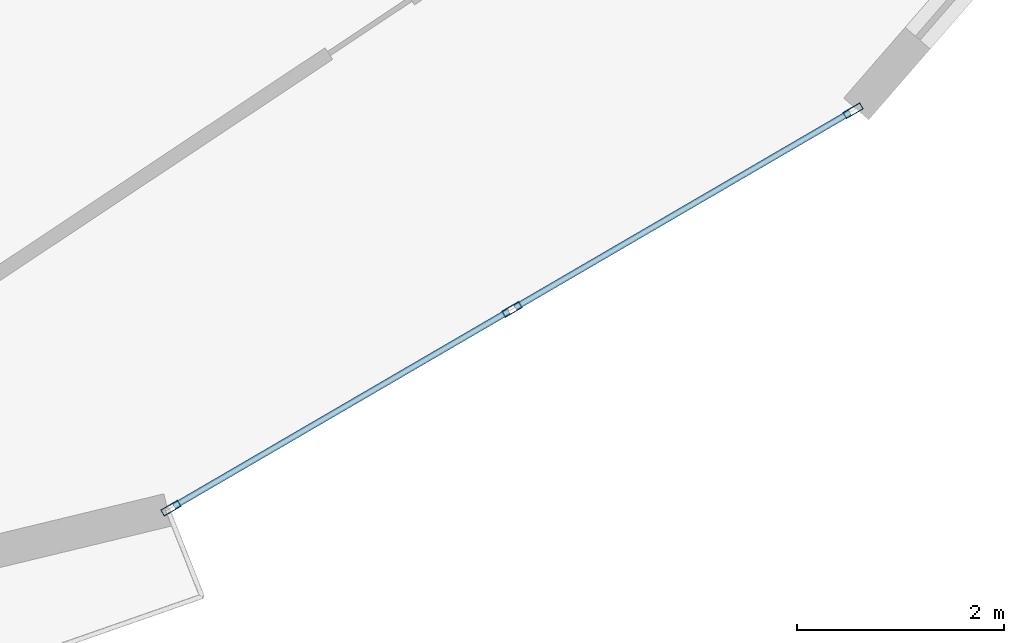
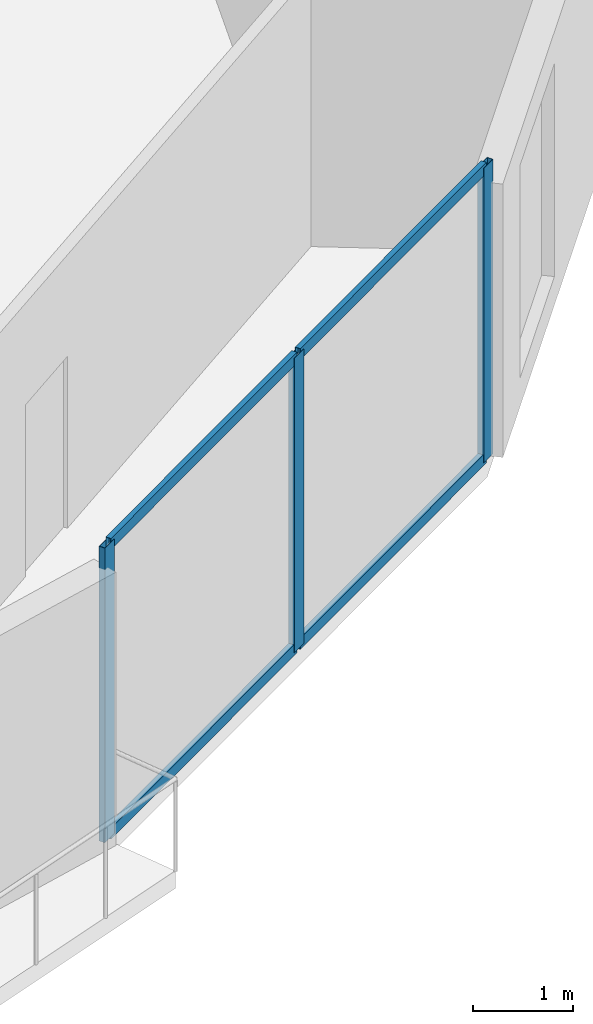
# One storey, part 8 of 23: 7 members, 1 element without a shape of its own.
"""IFC4 building model written with IfcOpenShell, lengths in metres."""

from ifc_helpers import new_model, si_unit, direction, frame, origin, origin_2d, place, context, subcontext, project, spatial, hollow_rectangle, extrude, source, transform, mapped, material, layer, layer_set, material_profile, profile_set, type_object, element, aggregate, save


model = new_model("IFC4")

# Units and contexts
model_context = context("Model", 3, precision=1e-05, world=origin(), true_north=direction((0.0, 1.0)))
body_context = subcontext(model_context, "Body", "Model", "MODEL_VIEW")
ifc_project = project(units=[si_unit("LENGTHUNIT", "METRE"), si_unit("AREAUNIT", "SQUARE_METRE"), si_unit("VOLUMEUNIT", "CUBIC_METRE"), si_unit("PLANEANGLEUNIT", "RADIAN"), si_unit("MASSUNIT", "GRAM", prefix="KILO")], contexts=[model_context])

# Site, building, storey
site_placement = place(None, origin())
site = spatial("IfcSite", under=ifc_project, at=site_placement, CompositionType="ELEMENT")
building_placement = place(site_placement, origin())
building = spatial("IfcBuilding", under=site, at=building_placement, Name="Solvirekh Grand Hotel", CompositionType="ELEMENT")
storey_placement = place(building_placement, frame((0.0, 0.0, 42.800048828125)))
storey = spatial("IfcBuildingStorey", under=building, at=storey_placement, Name="L09", CompositionType="ELEMENT", Elevation=42.800048828125)

# Curtain wall, members
ifc_material = material(Name="Anodized Bronze Aluminium 6063-T6", Category="aluminium")
ifc_layer = layer(ifc_material, 0.18994140625)
ifc_layer_set = layer_set([ifc_layer], Name="Anodized Bronze Aluminium 6063-T6")
curtain_wall_type = type_object("IfcCurtainWallType", Name="CW_Sys2_LowZoneFlushBronzeCW", PredefinedType="NOTDEFINED", material=ifc_layer_set)
curtain_wall_placement = place(storey_placement, origin())
curtain_wall = element("IfcCurtainWall", 1, at=curtain_wall_placement, inside=storey, type_object=curtain_wall_type, Name="L09 unitised bronze-glass curtain wall CW-L09-C18", PredefinedType="NOTDEFINED")
ifc_material_profile_1 = material_profile(ifc_material, hollow_rectangle(XDim=0.06005859375, YDim=0.135009765625, WallThickness=0.00390625, at=origin_2d()), Name="ALU RHS 135X60X4")
ifc_profile_set_1 = profile_set([ifc_material_profile_1], Name="Anodized Bronze Aluminium 6063-T6")
member_type_1 = type_object("IfcMemberType", Name="CWTransom_Sys2", PredefinedType="USERDEFINED", material=ifc_profile_set_1)
shared_shape_1 = source(origin(), body_context, "Body", "SweptSolid", [
    extrude(hollow_rectangle(XDim=0.06005859375, YDim=0.135009765625, WallThickness=0.00390625, at=origin_2d()), origin(), (0.0, 0.0, 1.0), 3.74755859375),
])
member_1_placement = place(storey_placement, frame((14.115478515625, -20.017822265625, 0.030029296875), z_axis=(0.864100068477, 0.503320048933, 0.0), x_axis=(-0.503320048933, 0.864100068477, 0.0)))
member_1 = element("IfcMember", 2, at=member_1_placement, type_object=member_type_1, Name="U02 transom 1.1", ObjectType="TRANSOM", PredefinedType="USERDEFINED", context=body_context, shape_type="MappedRepresentation", body=[
    mapped(shared_shape_1, transform((0.0, 0.0, 0.0), x_axis=(1.0, 0.0, 0.0), y_axis=(0.0, 1.0, 0.0), z_axis=(0.0, 0.0, 1.0), scale=1.0)),
])
member_2_placement = place(storey_placement, frame((14.115478515625, -20.017822265625, 3.570068359375), z_axis=(0.864100068477, 0.503320048933, 0.0), x_axis=(-0.503320048933, 0.864100068477, 0.0)))
member_2 = element("IfcMember", 3, at=member_2_placement, type_object=member_type_1, Name="U02 transom 1.2", ObjectType="TRANSOM", PredefinedType="USERDEFINED", context=body_context, shape_type="MappedRepresentation", body=[
    mapped(shared_shape_1, transform((0.0, 0.0, 0.0), x_axis=(1.0, 0.0, 0.0), y_axis=(0.0, 1.0, 0.0), z_axis=(0.0, 0.0, 1.0), scale=1.0)),
])
member_3_placement = place(storey_placement, frame((17.414306640625, -18.096435546875, 0.030029296875), z_axis=(0.864100068477, 0.503320048933, 0.0), x_axis=(-0.503320048933, 0.864100068477, 0.0)))
member_3 = element("IfcMember", 4, at=member_3_placement, type_object=member_type_1, Name="U02 transom 2.1", ObjectType="TRANSOM", PredefinedType="USERDEFINED", context=body_context, shape_type="MappedRepresentation", body=[
    mapped(shared_shape_1, transform((0.0, 0.0, 0.0), x_axis=(1.0, 0.0, 0.0), y_axis=(0.0, 1.0, 0.0), z_axis=(0.0, 0.0, 1.0), scale=1.0)),
])
member_4_placement = place(storey_placement, frame((17.414306640625, -18.096435546875, 3.570068359375), z_axis=(0.864100068477, 0.503320048933, 0.0), x_axis=(-0.503320048933, 0.864100068477, 0.0)))
member_4 = element("IfcMember", 5, at=member_4_placement, type_object=member_type_1, Name="U02 transom 2.2", ObjectType="TRANSOM", PredefinedType="USERDEFINED", context=body_context, shape_type="MappedRepresentation", body=[
    mapped(shared_shape_1, transform((0.0, 0.0, 0.0), x_axis=(1.0, 0.0, 0.0), y_axis=(0.0, 1.0, 0.0), z_axis=(0.0, 0.0, 1.0), scale=1.0)),
])
ifc_material_profile_2 = material_profile(ifc_material, hollow_rectangle(XDim=0.070068359375, YDim=0.18994140625, WallThickness=0.0048828125, at=origin_2d()), Name="ALU RHS 190X70X5")
ifc_profile_set_2 = profile_set([ifc_material_profile_2], Name="Anodized Bronze Aluminium 6063-T6")
member_type_2 = type_object("IfcMemberType", Name="CWMullion_Sys2", PredefinedType="MULLION", material=ifc_profile_set_2)
shared_shape_2 = source(origin(), body_context, "Body", "SweptSolid", [
    extrude(hollow_rectangle(XDim=0.070068359375, YDim=0.18994140625, WallThickness=0.0048828125, at=origin_2d()), origin(), (0.0, 0.0, 1.0), 3.599853515625),
])
member_5_placement = place(storey_placement, frame((14.085205078125, -20.035400390625, 0.0), z_axis=(0.0, 0.0, 1.0), x_axis=(-0.503306050629, 0.864108222042, 0.0)))
member_5 = element("IfcMember", 6, at=member_5_placement, type_object=member_type_2, Name="U02 mullion 1", PredefinedType="MULLION", context=body_context, shape_type="MappedRepresentation", body=[
    mapped(shared_shape_2, transform((0.0, 0.0, 0.0), x_axis=(1.0, 0.0, 0.0), y_axis=(0.0, 1.0, 0.0), z_axis=(0.0, 0.0, 1.0), scale=1.0)),
])
member_6_placement = place(storey_placement, frame((17.384033203125, -18.114013671875, 0.0), z_axis=(0.0, 0.0, 1.0), x_axis=(-0.503306050629, 0.864108222042, 0.0)))
member_6 = element("IfcMember", 7, at=member_6_placement, type_object=member_type_2, Name="U02 mullion 2", PredefinedType="MULLION", context=body_context, shape_type="MappedRepresentation", body=[
    mapped(shared_shape_2, transform((0.0, 0.0, 0.0), x_axis=(1.0, 0.0, 0.0), y_axis=(0.0, 1.0, 0.0), z_axis=(0.0, 0.0, 1.0), scale=1.0)),
])
member_7_placement = place(storey_placement, frame((20.682861328125, -16.192626953125, 0.0), z_axis=(0.0, 0.0, 1.0), x_axis=(-0.503306050629, 0.864108222042, 0.0)))
member_7 = element("IfcMember", 8, at=member_7_placement, type_object=member_type_2, Name="U02 mullion 3", PredefinedType="MULLION", context=body_context, shape_type="MappedRepresentation", body=[
    mapped(shared_shape_2, transform((0.0, 0.0, 0.0), x_axis=(1.0, 0.0, 0.0), y_axis=(0.0, 1.0, 0.0), z_axis=(0.0, 0.0, 1.0), scale=1.0)),
])
aggregate(curtain_wall, [member_5, member_6, member_7, member_1, member_2, member_3, member_4])

save(model, "model.ifc")
